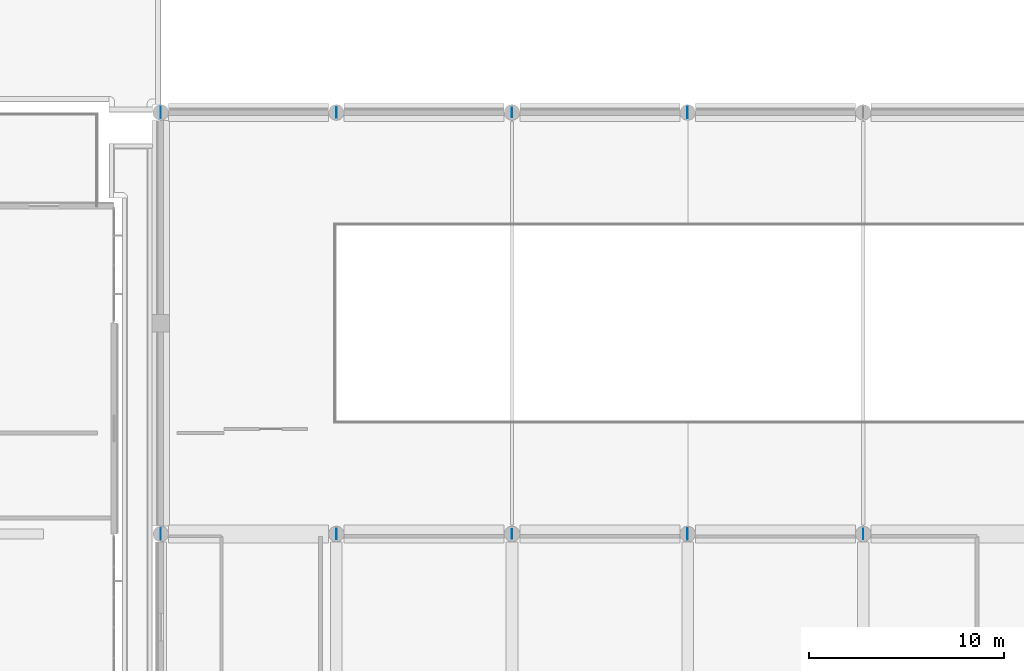
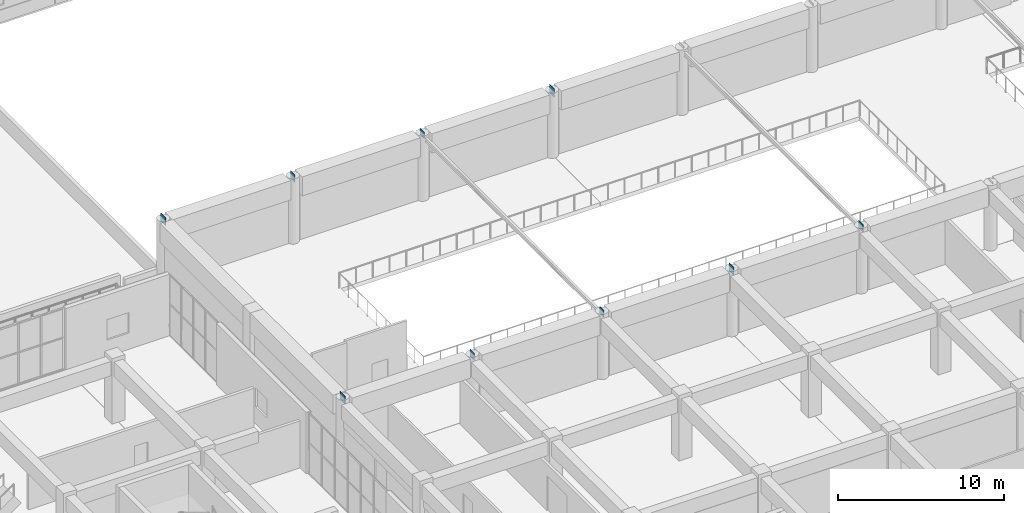
# One storey, part 57 of 96: 9 plates.
"""IFC4 building model written with IfcOpenShell, lengths in metres."""

from ifc_helpers import new_model, si_unit, direction, frame, origin, origin_2d, place, context, subcontext, project, spatial, rectangle, extrude, material, layer, layer_set, type_object, element, save


model = new_model("IFC4")

# Units and contexts
model_context = context("Model", 3, precision=1e-05, world=origin(), true_north=direction((0.0, 1.0)))
body_context = subcontext(model_context, "Body", "Model", "MODEL_VIEW")
ifc_project = project(units=[si_unit("LENGTHUNIT", "METRE"), si_unit("AREAUNIT", "SQUARE_METRE"), si_unit("VOLUMEUNIT", "CUBIC_METRE"), si_unit("PLANEANGLEUNIT", "RADIAN"), si_unit("MASSUNIT", "GRAM", prefix="KILO")], contexts=[model_context])

# Site, building, storey
site_placement = place(None, origin())
site = spatial("IfcSite", under=ifc_project, at=site_placement, CompositionType="ELEMENT")
building_placement = place(site_placement, origin())
building = spatial("IfcBuilding", under=site, at=building_placement, Name="Cendralis Terraced Arcade", CompositionType="ELEMENT")
storey_placement = place(building_placement, frame((0.0, 0.0, 10.199951171875)))
storey = spatial("IfcBuildingStorey", under=building, at=storey_placement, Name="L02", CompositionType="ELEMENT", Elevation=10.199951171875)

# Plates
ifc_material = material(Name="Steel ASTM A572 Grade 50", Category="steel")
ifc_layer_1 = layer(ifc_material, 0.01806640625, Name="PLT-GUS-500x500x18")
ifc_layer_set_1 = layer_set([ifc_layer_1], Name="Steel ASTM A572 Grade 50")
plate_type_1 = type_object("IfcPlateType", Name="PLT-GUS-500x500x18", PredefinedType="SHEET", material=ifc_layer_set_1)
for number, where, z_axis, x_axis, name in (
    (1, (85.199951171875, 38.39990234375, 4.449951171875), (0.0, 0.0, 1.0), (0.0, 1.0, 0.0), "Shopping Arcade Vault Springing Node Gusset Plate 03-S"),
    (2, (85.199951171875, 60.0, 4.449951171875), (0.0, 0.0, 1.0), (0.0, 1.0, 0.0), "Shopping Arcade Vault Springing Node Gusset Plate 03-N"),
):
    element("IfcPlate", number, at=place(storey_placement, frame(where, z_axis=z_axis, x_axis=x_axis)), inside=storey, type_object=plate_type_1, Name=name, PredefinedType="SHEET", context=body_context, shape_type="SweptSolid", body=[
        extrude(rectangle(XDim=0.5, YDim=0.01806640625, at=origin_2d()), origin(), (0.0, 0.0, 1.0), 0.5),
    ])
ifc_layer_2 = layer(ifc_material, 0.01806640625, Name="PLT-GUS-550x550x18")
ifc_layer_set_2 = layer_set([ifc_layer_2], Name="Steel ASTM A572 Grade 50")
plate_type_2 = type_object("IfcPlateType", Name="PLT-GUS-550x550x18", PredefinedType="SHEET", material=ifc_layer_set_2)
for number, where, z_axis, x_axis, name in (
    (3, (76.199951171875, 38.39990234375, 4.4248046875), (0.0, 0.0, 1.0), (0.0, 1.0, 0.0), "Shopping Arcade Vault Springing Node Gusset Plate 02-S"),
    (4, (76.199951171875, 60.0, 4.4248046875), (0.0, 0.0, 1.0), (0.0, 1.0, 0.0), "Shopping Arcade Vault Springing Node Gusset Plate 02-N"),
    (5, (103.199951171875, 38.39990234375, 4.4248046875), (0.0, 0.0, 1.0), (0.0, 1.0, 0.0), "Shopping Arcade Vault Springing Node Gusset Plate 05-S"),
):
    element("IfcPlate", number, at=place(storey_placement, frame(where, z_axis=z_axis, x_axis=x_axis)), inside=storey, type_object=plate_type_2, Name=name, PredefinedType="SHEET", context=body_context, shape_type="SweptSolid", body=[
        extrude(rectangle(XDim=0.550048828125, YDim=0.01806640625, at=origin_2d()), origin(), (0.0, 0.0, 1.0), 0.550048828125),
    ])
ifc_layer_3 = layer(ifc_material, 0.02001953125, Name="PLT-GUS-600x600x20")
ifc_layer_set_3 = layer_set([ifc_layer_3], Name="Steel ASTM A572 Grade 50")
plate_type_3 = type_object("IfcPlateType", Name="PLT-GUS-600x600x20", PredefinedType="SHEET", material=ifc_layer_set_3)
for number, where, z_axis, x_axis, name in (
    (6, (67.199951171875, 38.39990234375, 4.39990234375), (0.0, 0.0, 1.0), (0.0, 1.0, 0.0), "Shopping Arcade Vault Springing Node Gusset Plate 01-S"),
    (7, (67.199951171875, 60.0, 4.39990234375), (0.0, 0.0, 1.0), (0.0, 1.0, 0.0), "Shopping Arcade Vault Springing Node Gusset Plate 01-N"),
    (8, (94.199951171875, 38.39990234375, 4.39990234375), (0.0, 0.0, 1.0), (0.0, 1.0, 0.0), "Shopping Arcade Vault Springing Node Gusset Plate 04-S"),
    (9, (94.199951171875, 60.0, 4.39990234375), (0.0, 0.0, 1.0), (0.0, 1.0, 0.0), "Shopping Arcade Vault Springing Node Gusset Plate 04-N"),
):
    element("IfcPlate", number, at=place(storey_placement, frame(where, z_axis=z_axis, x_axis=x_axis)), inside=storey, type_object=plate_type_3, Name=name, PredefinedType="SHEET", context=body_context, shape_type="SweptSolid", body=[
        extrude(rectangle(XDim=0.60009765625, YDim=0.02001953125, at=origin_2d()), origin(), (0.0, 0.0, 1.0), 0.60009765625),
    ])

save(model, "model.ifc")
